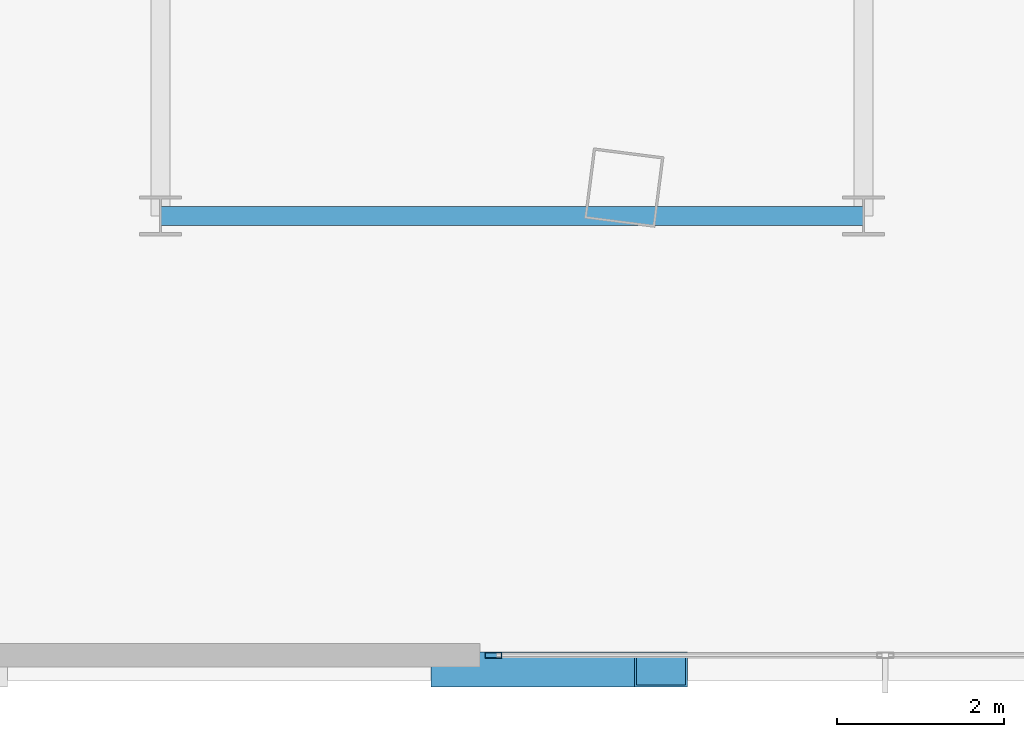
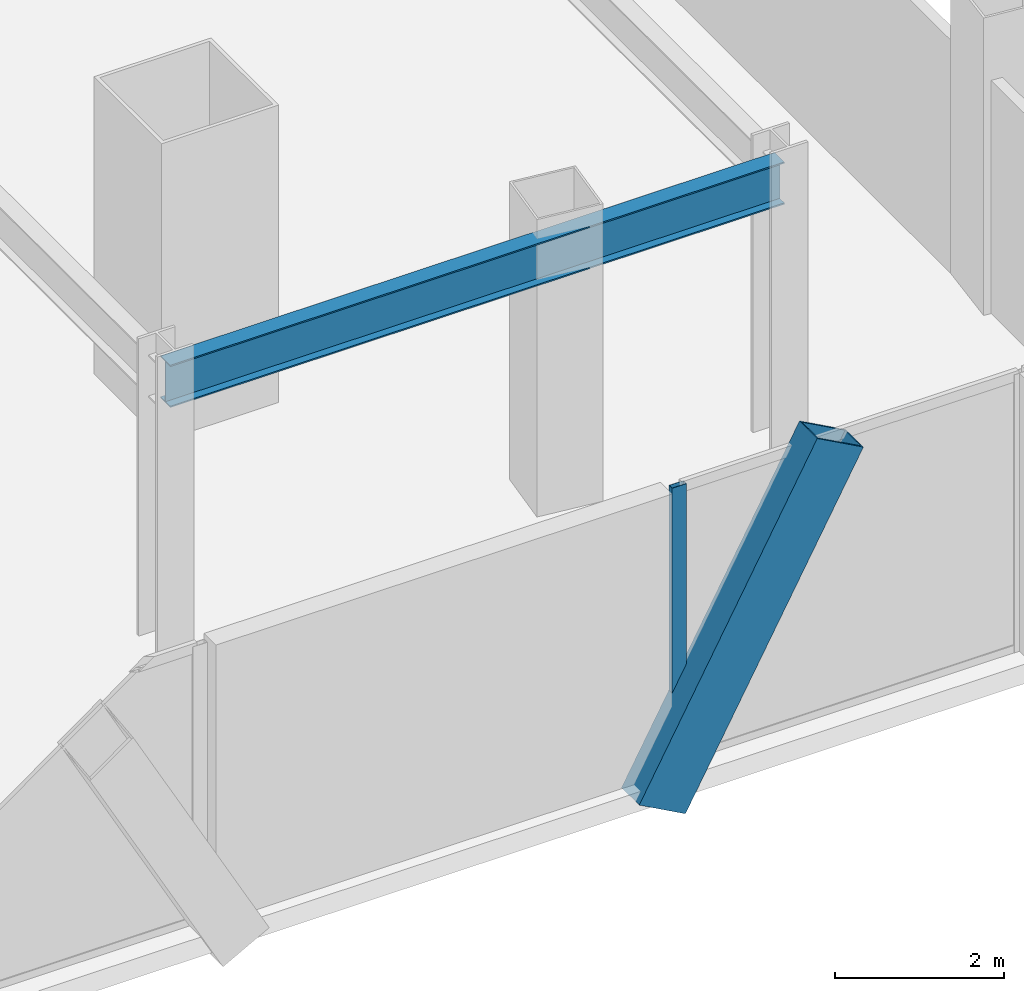
# One storey, part 6 of 42: 2 members, 1 beam, 1 element without a shape of its own.
"""IFC4 building model written with IfcOpenShell, lengths in metres."""

from ifc_helpers import new_model, si_unit, direction, frame, origin, origin_2d, place, context, subcontext, project, spatial, hollow_rectangle, i_section, extrude, material, layer, layer_set, material_profile, profile_set, type_object, element, aggregate, save


model = new_model("IFC4")

# Units and contexts
model_context = context("Model", 3, precision=1e-05, world=origin(), true_north=direction((0.0, 1.0)))
body_context = subcontext(model_context, "Body", "Model", "MODEL_VIEW")
ifc_project = project(units=[si_unit("LENGTHUNIT", "METRE"), si_unit("AREAUNIT", "SQUARE_METRE"), si_unit("VOLUMEUNIT", "CUBIC_METRE"), si_unit("PLANEANGLEUNIT", "RADIAN"), si_unit("MASSUNIT", "GRAM", prefix="KILO")], contexts=[model_context])

# Site, building, storey
site_placement = place(None, origin())
site = spatial("IfcSite", under=ifc_project, at=site_placement, CompositionType="ELEMENT")
building_placement = place(site_placement, origin())
building = spatial("IfcBuilding", under=site, at=building_placement, Name="Orvanel Arch Residences", CompositionType="ELEMENT")
storey_placement = place(building_placement, frame((0.0, 0.0, 5.5)))
storey = spatial("IfcBuildingStorey", under=building, at=storey_placement, Name="L01", CompositionType="ELEMENT", Elevation=5.5)

# Beam
ifc_material_1 = material(Name="Structural steel AS/NZS 3679.1 Grade 300 (300 MPa)", Category="steel")
ifc_material_profile_1 = material_profile(ifc_material_1, i_section(OverallWidth=0.22900390625, OverallDepth=0.612060546875, WebThickness=0.011962890625, FlangeThickness=0.01953125, at=origin_2d()), Name="610UB125")
ifc_profile_set_1 = profile_set([ifc_material_profile_1], Name="Structural steel AS/NZS 3679.1 Grade 300 (300 MPa)")
beam_type = type_object("IfcBeamType", Name="BG-610UB", PredefinedType="BEAM", material=ifc_profile_set_1)
beam_placement = place(storey_placement, frame((11.39990234375, 6.0, 3.714111328125), z_axis=(1.0, 0.0, 0.0), x_axis=(0.0, 1.0, 0.0)))
element("IfcBeam", 1, at=beam_placement, inside=storey, type_object=beam_type, Name="L01 BG-610UB beam", PredefinedType="BEAM", context=body_context, shape_type="SweptSolid", body=[
    extrude(i_section(OverallWidth=0.22900390625, OverallDepth=0.612060546875, WebThickness=0.011962890625, FlangeThickness=0.01953125, at=origin_2d()), origin(), (0.0, 0.0, 1.0), 8.400146484375),
])

# Member
ifc_material_2 = material(Name="Structural steel AS/NZS 3678 Grade 350", Category="steel")
ifc_material_profile_2 = material_profile(ifc_material_2, hollow_rectangle(XDim=0.419921875, YDim=0.719970703125, WallThickness=0.02490234375, at=origin_2d()), Name="RHS720x420x25")
ifc_profile_set_2 = profile_set([ifc_material_profile_2], Name="Structural steel AS/NZS 3678 Grade 350")
member_type_1 = type_object("IfcMemberType", Name="BR-720RHS-EXT", PredefinedType="BRACE", material=ifc_profile_set_2)
member_1_placement = place(storey_placement, frame((14.946044921875, 0.580078125, -0.300048828125), z_axis=(0.480038670678, 0.0, 0.877247328097), x_axis=(0.0, 1.0, 0.0)))
element("IfcMember", 2, at=member_1_placement, inside=storey, type_object=member_type_1, Name="L01 Podium Multi-Storey V-Strut Pair SW Leg 2", PredefinedType="BRACE", context=body_context, shape_type="SweptSolid", body=[
    extrude(hollow_rectangle(XDim=0.419921875, YDim=0.719970703125, WallThickness=0.02490234375, at=origin_2d()), origin(), (0.0, 0.0, 1.0), 5.072509765625),
])

# Curtain wall, member
ifc_material_3 = material(Name="Bronze-anodised aluminium AA6063-T6", Category="aluminium")
ifc_layer = layer(ifc_material_3, 0.199951171875)
ifc_layer_set = layer_set([ifc_layer], Name="Bronze-anodised aluminium AA6063-T6")
curtain_wall_type = type_object("IfcCurtainWallType", Name="CW1-POD-SYS", PredefinedType="NOTDEFINED", material=ifc_layer_set)
curtain_wall_placement = place(storey_placement, origin())
curtain_wall = element("IfcCurtainWall", 3, at=curtain_wall_placement, inside=storey, type_object=curtain_wall_type, Name="L01 CW1-POD-SYS Unitised Curtain Wall", PredefinedType="NOTDEFINED")
ifc_material_profile_3 = material_profile(ifc_material_3, hollow_rectangle(XDim=0.074951171875, YDim=0.199951171875, WallThickness=0.0048828125, at=origin_2d()), Name="ALU200x75x5")
ifc_profile_set_3 = profile_set([ifc_material_profile_3], Name="Bronze-anodised aluminium AA6063-T6")
member_type_2 = type_object("IfcMemberType", Name="MUL-200x75", PredefinedType="MULLION", material=ifc_profile_set_3)
member_2_placement = place(storey_placement, frame((15.37744140625, 0.75, 0.0), z_axis=(0.0, 0.0, 1.0), x_axis=(0.0, 1.0, 0.0)))
member_2 = element("IfcMember", 4, at=member_2_placement, type_object=member_type_2, Name="CW-S1 mullion 1", PredefinedType="MULLION", context=body_context, shape_type="SweptSolid", body=[
    extrude(hollow_rectangle(XDim=0.074951171875, YDim=0.199951171875, WallThickness=0.0048828125, at=origin_2d()), origin(), (0.0, 0.0, 1.0), 4.02001953125),
])
aggregate(curtain_wall, [member_2])

save(model, "model.ifc")
